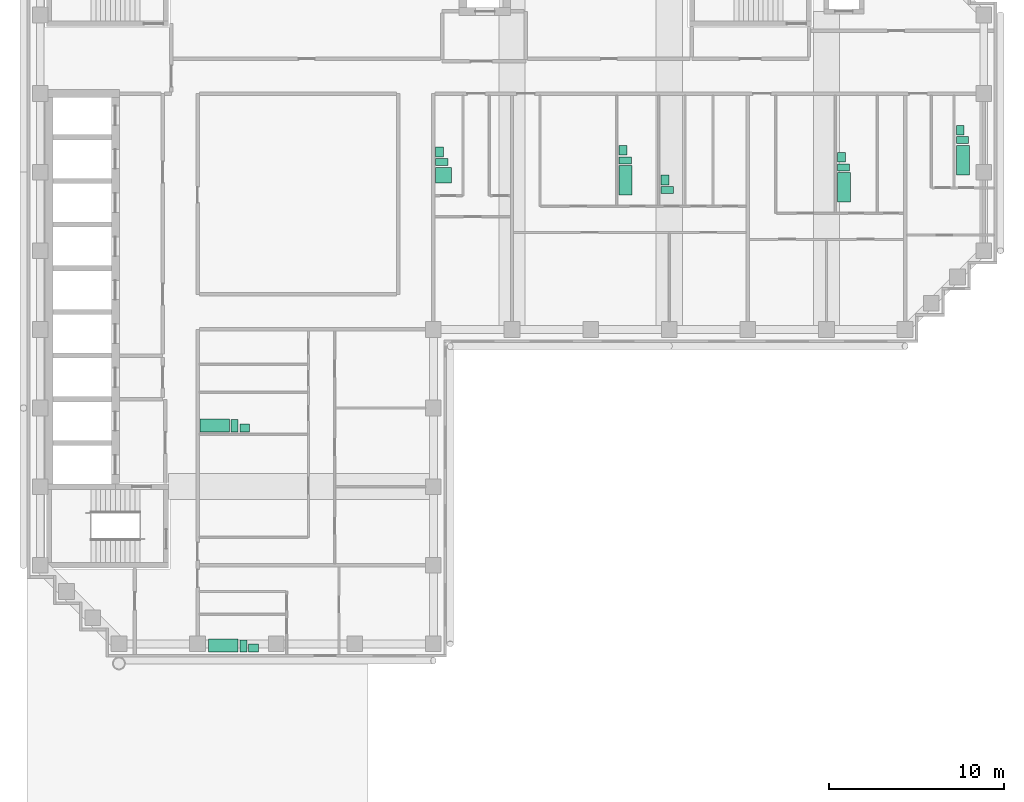
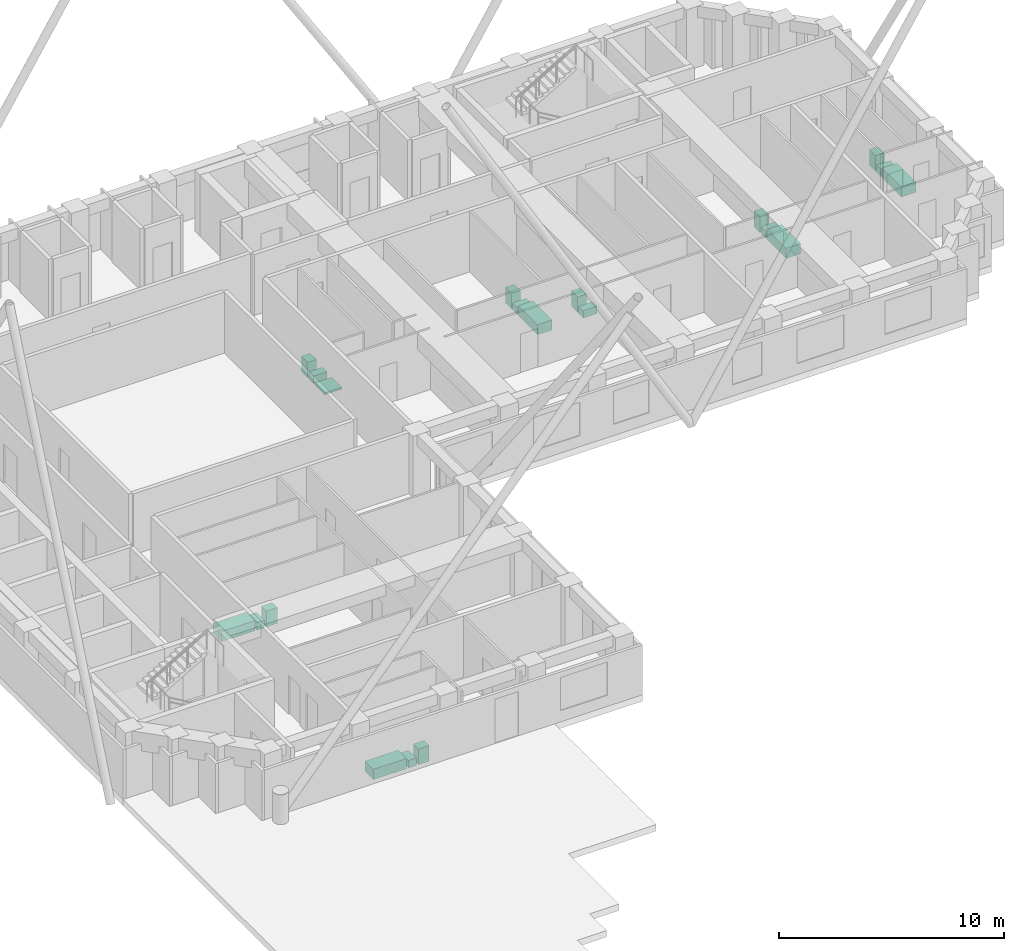
# One storey, part 9 of 9: 20 sanitary terminals.
"""IFC4 building model written with IfcOpenShell, lengths in metres."""

from ifc_helpers import new_model, si_unit, direction, frame, origin, origin_2d, place, context, subcontext, project, spatial, rectangle, extrude, material, type_object, element, save


model = new_model("IFC4")

# Units and contexts
model_context = context("Model", 3, precision=1e-05, world=origin(), true_north=direction((0.0, 1.0)))
body_context = subcontext(model_context, "Body", "Model", "MODEL_VIEW")
ifc_project = project(units=[si_unit("LENGTHUNIT", "METRE"), si_unit("AREAUNIT", "SQUARE_METRE"), si_unit("VOLUMEUNIT", "CUBIC_METRE"), si_unit("PLANEANGLEUNIT", "RADIAN"), si_unit("MASSUNIT", "GRAM", prefix="KILO")], contexts=[model_context])

# Site, building, storey
site_placement = place(None, origin())
site = spatial("IfcSite", under=ifc_project, at=site_placement, CompositionType="ELEMENT")
building_placement = place(site_placement, origin())
building = spatial("IfcBuilding", under=site, at=building_placement, Name="Firuza Court", CompositionType="ELEMENT")
storey_placement = place(building_placement, frame((0.0, 0.0, 211.39990234375)))
storey = spatial("IfcBuildingStorey", under=building, at=storey_placement, Name="L54", CompositionType="ELEMENT", Elevation=211.39990234375)

# Sanitary terminals
ifc_material_1 = material(Name="Vitreous china", Category="ceramic")
sanitary_terminal_type_1 = type_object("IfcSanitaryTerminalType", Name="Fixture Bath", PredefinedType="BATH", material=ifc_material_1)
for number, where, z_axis, x_axis, name in (
    (1, (33.5048828125, 44.530029296875, 0.0), (0.0, 0.0, 1.0), (1.0, 0.0, 0.0), "Bath"),
    (2, (46.0048828125, 44.1298828125, 0.0), (0.0, 0.0, 1.0), (1.0, 0.0, 0.0), "Bath"),
    (3, (52.804931640625, 45.679931640625, 0.0), (0.0, 0.0, 1.0), (1.0, 0.0, 0.0), "Bath"),
):
    element("IfcSanitaryTerminal", number, at=place(storey_placement, frame(where, z_axis=z_axis, x_axis=x_axis)), inside=storey, type_object=sanitary_terminal_type_1, Name=name, PredefinedType="BATH", context=body_context, shape_type="SweptSolid", body=[
        extrude(rectangle(XDim=0.75, YDim=1.699951171875, at=origin_2d()), origin(), (0.0, 0.0, 1.0), 0.550048828125),
    ])
for number, where, z_axis, x_axis, name in (
    (4, (9.97998046875, 30.5048828125, 0.0), (0.0, 0.0, 1.0), (1.0, 0.0, 0.0), "Bath"),
    (5, (10.47998046875, 17.905029296875, 0.0), (0.0, 0.0, 1.0), (1.0, 0.0, 0.0), "Bath"),
):
    element("IfcSanitaryTerminal", number, at=place(storey_placement, frame(where, z_axis=z_axis, x_axis=x_axis)), inside=storey, type_object=sanitary_terminal_type_1, Name=name, PredefinedType="BATH", context=body_context, shape_type="SweptSolid", body=[
        extrude(rectangle(XDim=1.699951171875, YDim=0.75, at=origin_2d()), origin(), (0.0, 0.0, 1.0), 0.550048828125),
    ])
ifc_material_2 = material(Name="Vitreous china", Category="ceramic")
sanitary_terminal_type_2 = type_object("IfcSanitaryTerminalType", Name="Fixture Shower tray", PredefinedType="SHOWER", material=ifc_material_2)
sanitary_terminal_placement = place(storey_placement, frame((23.080078125, 44.830078125, 0.0), z_axis=(0.0, 0.0, 1.0), x_axis=(1.0, 0.0, 0.0)))
element("IfcSanitaryTerminal", 6, at=sanitary_terminal_placement, inside=storey, type_object=sanitary_terminal_type_2, Name="Shower tray", PredefinedType="SHOWER", context=body_context, shape_type="SweptSolid", body=[
    extrude(rectangle(XDim=0.89990234375, YDim=0.89990234375, at=origin_2d()), origin(), (0.0, 0.0, 1.0), 0.10009765625),
])
ifc_material_3 = material(Name="Vitreous china", Category="ceramic")
sanitary_terminal_type_3 = type_object("IfcSanitaryTerminalType", Name="Fixture WC pan", PredefinedType="TOILETPAN", material=ifc_material_3)
for number, where, z_axis, x_axis, name in (
    (7, (22.97998046875, 45.580078125, 0.000244140625), (0.0, 0.0, 1.0), (1.0, 0.0, 0.0), "WC pan"),
    (8, (33.47998046875, 45.679931640625, 0.000244140625), (0.0, 0.0, 1.0), (1.0, 0.0, 0.0), "WC pan"),
    (9, (35.8798828125, 43.97998046875, 0.000244140625), (0.0, 0.0, 1.0), (1.0, 0.0, 0.0), "WC pan"),
    (10, (45.97998046875, 45.280029296875, 0.000244140625), (0.0, 0.0, 1.0), (1.0, 0.0, 0.0), "WC pan"),
    (11, (52.780029296875, 46.830078125, 0.000244140625), (0.0, 0.0, 1.0), (1.0, 0.0, 0.0), "WC pan"),
):
    element("IfcSanitaryTerminal", number, at=place(storey_placement, frame(where, z_axis=z_axis, x_axis=x_axis)), inside=storey, type_object=sanitary_terminal_type_3, Name=name, PredefinedType="TOILETPAN", context=body_context, shape_type="SweptSolid", body=[
        extrude(rectangle(XDim=0.699951171875, YDim=0.39990234375, at=origin_2d()), origin(), (0.0, 0.0, 1.0), 0.39990234375),
    ])
for number, where, z_axis, x_axis, name in (
    (12, (11.1298828125, 30.47998046875, 0.000244140625), (0.0, 0.0, 1.0), (1.0, 0.0, 0.0), "WC pan"),
    (13, (11.6298828125, 17.8798828125, 0.000244140625), (0.0, 0.0, 1.0), (1.0, 0.0, 0.0), "WC pan"),
):
    element("IfcSanitaryTerminal", number, at=place(storey_placement, frame(where, z_axis=z_axis, x_axis=x_axis)), inside=storey, type_object=sanitary_terminal_type_3, Name=name, PredefinedType="TOILETPAN", context=body_context, shape_type="SweptSolid", body=[
        extrude(rectangle(XDim=0.39990234375, YDim=0.699951171875, at=origin_2d()), origin(), (0.0, 0.0, 1.0), 0.39990234375),
    ])
ifc_material_4 = material(Name="Vitreous china", Category="ceramic")
sanitary_terminal_type_4 = type_object("IfcSanitaryTerminalType", Name="Fixture Washbasin", PredefinedType="WASHHANDBASIN", material=ifc_material_4)
for number, where, z_axis, x_axis, name in (
    (14, (22.85498046875, 46.155029296875, 0.0), (0.0, 0.0, 1.0), (1.0, 0.0, 0.0), "Washbasin"),
    (15, (33.35498046875, 46.2548828125, 0.0), (0.0, 0.0, 1.0), (1.0, 0.0, 0.0), "Washbasin"),
    (16, (35.7548828125, 44.554931640625, 0.0), (0.0, 0.0, 1.0), (1.0, 0.0, 0.0), "Washbasin"),
    (17, (45.85498046875, 45.85498046875, 0.0), (0.0, 0.0, 1.0), (1.0, 0.0, 0.0), "Washbasin"),
    (18, (52.655029296875, 47.405029296875, 0.0), (0.0, 0.0, 1.0), (1.0, 0.0, 0.0), "Washbasin"),
):
    element("IfcSanitaryTerminal", number, at=place(storey_placement, frame(where, z_axis=z_axis, x_axis=x_axis)), inside=storey, type_object=sanitary_terminal_type_4, Name=name, PredefinedType="WASHHANDBASIN", context=body_context, shape_type="SweptSolid", body=[
        extrude(rectangle(XDim=0.449951171875, YDim=0.550048828125, at=origin_2d()), origin(), (0.0, 0.0, 1.0), 0.85009765625),
    ])
for number, where, z_axis, x_axis, name in (
    (19, (11.705078125, 30.35498046875, 0.0), (0.0, 0.0, 1.0), (1.0, 0.0, 0.0), "Washbasin"),
    (20, (12.205078125, 17.7548828125, 0.0), (0.0, 0.0, 1.0), (1.0, 0.0, 0.0), "Washbasin"),
):
    element("IfcSanitaryTerminal", number, at=place(storey_placement, frame(where, z_axis=z_axis, x_axis=x_axis)), inside=storey, type_object=sanitary_terminal_type_4, Name=name, PredefinedType="WASHHANDBASIN", context=body_context, shape_type="SweptSolid", body=[
        extrude(rectangle(XDim=0.550048828125, YDim=0.449951171875, at=origin_2d()), origin(), (0.0, 0.0, 1.0), 0.85009765625),
    ])

save(model, "model.ifc")
